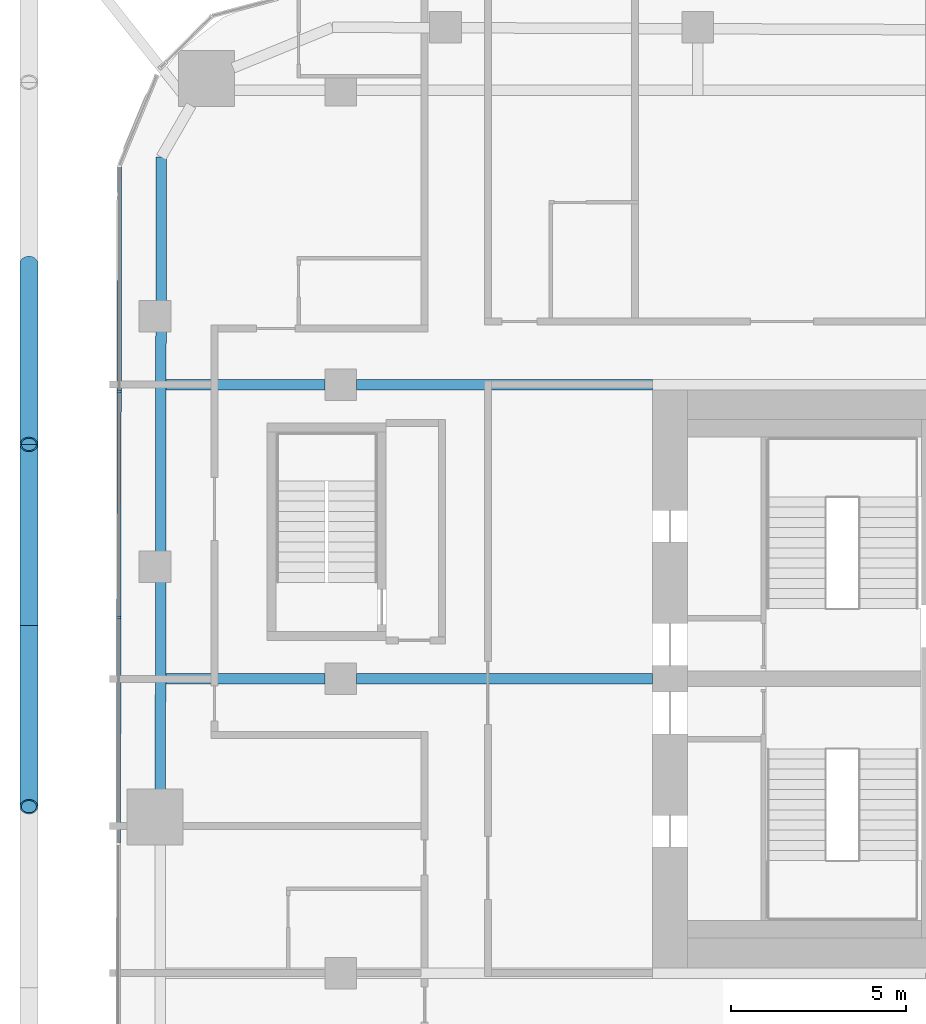
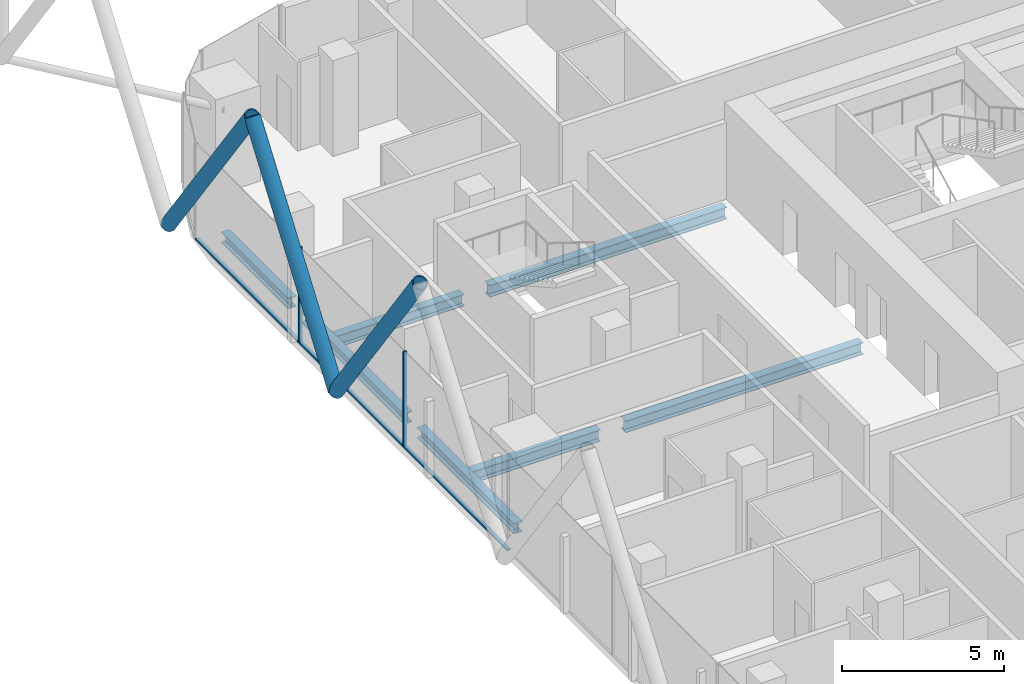
# One storey, part 9 of 33: 8 members, 7 beams, 1 element without a shape of its own.
"""IFC4 building model written with IfcOpenShell, lengths in metres."""

from ifc_helpers import new_model, si_unit, direction, frame, origin, origin_2d, place, context, subcontext, project, spatial, rectangle, hollow_circle, i_section, extrude, material, layer, layer_set, material_profile, profile_set, type_object, element, aggregate, save


model = new_model("IFC4")

# Units and contexts
model_context = context("Model", 3, precision=1e-05, world=origin(), true_north=direction((0.0, 1.0)))
body_context = subcontext(model_context, "Body", "Model", "MODEL_VIEW")
ifc_project = project(units=[si_unit("LENGTHUNIT", "METRE"), si_unit("AREAUNIT", "SQUARE_METRE"), si_unit("VOLUMEUNIT", "CUBIC_METRE"), si_unit("PLANEANGLEUNIT", "RADIAN"), si_unit("MASSUNIT", "GRAM", prefix="KILO")], contexts=[model_context])

# Site, building, storey
site_placement = place(None, origin())
site = spatial("IfcSite", under=ifc_project, at=site_placement, CompositionType="ELEMENT")
building_placement = place(site_placement, origin())
building = spatial("IfcBuilding", under=site, at=building_placement, Name="Marenta Gate Hotel Tower", CompositionType="ELEMENT")
storey_placement = place(building_placement, frame((0.0, 0.0, 137.300048828125)))
storey = spatial("IfcBuildingStorey", under=building, at=storey_placement, Name="L31", CompositionType="ELEMENT", Elevation=137.300048828125)

# Members
ifc_material_1 = material(Name="Steel S355J2W", Category="steel")
ifc_material_profile_1 = material_profile(ifc_material_1, hollow_circle(Radius=0.25390625, WallThickness=0.0400390625, at=origin_2d()), Name="CHS 508x40")
ifc_profile_set_1 = profile_set([ifc_material_profile_1], Name="Steel S355J2W")
member_type_1 = type_object("IfcMemberType", Name="Diagrid diagonal Z2 CHS 508x40", PredefinedType="BRACE", material=ifc_profile_set_1)
member_1_placement = place(storey_placement, frame((-29.89990234375, 9.919921875, 3.139892578125), z_axis=(0.0, -0.583260841117, 0.812284919975), x_axis=(1.0, 0.0, 0.0)))
element("IfcMember", 1, at=member_1_placement, inside=storey, type_object=member_type_1, Name="L31-DG-30", PredefinedType="BRACE", context=body_context, shape_type="SweptSolid", body=[
    extrude(hollow_circle(Radius=0.25390625, WallThickness=0.0400390625, at=origin_2d()), origin(), (0.0, 0.0, 1.0), 8.86376953125),
])
member_2_placement = place(storey_placement, frame((-29.89990234375, 9.919921875, 3.139892578125), z_axis=(0.0, 0.583279014058, 0.812271870595), x_axis=(-1.0, 0.0, 0.0)))
element("IfcMember", 2, at=member_2_placement, inside=storey, type_object=member_type_1, Name="L31-DG-31", PredefinedType="BRACE", context=body_context, shape_type="SweptSolid", body=[
    extrude(hollow_circle(Radius=0.25390625, WallThickness=0.0400390625, at=origin_2d()), origin(), (0.0, 0.0, 1.0), 8.864013671875),
])
member_3_placement = place(storey_placement, frame((-29.89990234375, 20.260009765625, 3.139892578125), z_axis=(0.0, -0.583260841117, 0.812284919975), x_axis=(1.0, 0.0, 0.0)))
element("IfcMember", 3, at=member_3_placement, inside=storey, type_object=member_type_1, Name="L31-DG-32", PredefinedType="BRACE", context=body_context, shape_type="SweptSolid", body=[
    extrude(hollow_circle(Radius=0.25390625, WallThickness=0.0400390625, at=origin_2d()), origin(), (0.0, 0.0, 1.0), 8.86376953125),
])

# Beams
ifc_material_2 = material(Name="Steel S355", Category="steel")
ifc_material_profile_2 = material_profile(ifc_material_2, i_section(OverallWidth=0.300048828125, OverallDepth=0.39990234375, WebThickness=0.013427734375, FlangeThickness=0.02392578125, FilletRadius=0.027099609375, at=origin_2d()), Name="HEB 400")
ifc_profile_set_2 = profile_set([ifc_material_profile_2], Name="Steel S355")
beam_type_1 = type_object("IfcBeamType", Name="Edge beam HEB 400", PredefinedType="SPANDREL", material=ifc_profile_set_2)
beam_1_placement = place(storey_placement, frame((-26.146484375, 5.2099609375, -0.4599609375), z_axis=(0.001387357379, 0.999999037619, 0.0), x_axis=(-0.999999037619, 0.001387357379, 0.0)))
element("IfcBeam", 4, at=beam_1_placement, inside=storey, type_object=beam_type_1, Name="L31-EB-8", PredefinedType="SPANDREL", context=body_context, shape_type="SweptSolid", body=[
    extrude(i_section(OverallWidth=0.300048828125, OverallDepth=0.39990234375, WebThickness=0.013427734375, FlangeThickness=0.02392578125, FilletRadius=0.027099609375, at=origin_2d()), origin(), (0.0, 0.0, 1.0), 5.983154296875),
])
beam_2_placement = place(storey_placement, frame((-26.136962890625, 12.01318359375, -0.4599609375), z_axis=(0.001387763206, 0.999999037056, 0.0), x_axis=(-0.999999037056, 0.001387763206, 0.0)))
element("IfcBeam", 5, at=beam_2_placement, inside=storey, type_object=beam_type_1, Name="L31-EB-9", PredefinedType="SPANDREL", context=body_context, shape_type="SweptSolid", body=[
    extrude(i_section(OverallWidth=0.300048828125, OverallDepth=0.39990234375, WebThickness=0.013427734375, FlangeThickness=0.02392578125, FilletRadius=0.027099609375, at=origin_2d()), origin(), (0.0, 0.0, 1.0), 6.333251953125),
])
beam_3_placement = place(storey_placement, frame((-26.126953125, 19.16650390625, -0.4599609375), z_axis=(0.001361187116, 0.999999073584, 0.0), x_axis=(-0.999999073584, 0.001361187116, 0.0)))
element("IfcBeam", 6, at=beam_3_placement, inside=storey, type_object=beam_type_1, Name="L31-EB-10", PredefinedType="SPANDREL", context=body_context, shape_type="SweptSolid", body=[
    extrude(i_section(OverallWidth=0.300048828125, OverallDepth=0.39990234375, WebThickness=0.013427734375, FlangeThickness=0.02392578125, FilletRadius=0.027099609375, at=origin_2d()), origin(), (0.0, 0.0, 1.0), 4.125244140625),
])
ifc_material_3 = material(Name="Steel S355", Category="steel")
ifc_material_profile_3 = material_profile(ifc_material_3, i_section(OverallWidth=0.300048828125, OverallDepth=0.449951171875, WebThickness=0.013916015625, FlangeThickness=0.02587890625, FilletRadius=0.027099609375, at=origin_2d()), Name="HEB 450")
ifc_profile_set_3 = profile_set([ifc_material_profile_3], Name="Steel S355")
beam_type_2 = type_object("IfcBeamType", Name="Girder HEB 450", PredefinedType="BEAM", material=ifc_profile_set_3)
beam_4_placement = place(storey_placement, frame((-25.991943359375, 8.39990234375, -0.485107421875), z_axis=(1.0, 0.0, 0.0), x_axis=(0.0, 1.0, 0.0)))
element("IfcBeam", 7, at=beam_4_placement, inside=storey, type_object=beam_type_2, Name="L31-GD-20", PredefinedType="BEAM", context=body_context, shape_type="SweptSolid", body=[
    extrude(i_section(OverallWidth=0.300048828125, OverallDepth=0.449951171875, WebThickness=0.013916015625, FlangeThickness=0.02587890625, FilletRadius=0.027099609375, at=origin_2d()), origin(), (0.0, 0.0, 1.0), 4.5419921875),
])
beam_5_placement = place(storey_placement, frame((-20.550048828125, 8.39990234375, -0.485107421875), z_axis=(1.0, 0.0, 0.0), x_axis=(0.0, 1.0, 0.0)))
element("IfcBeam", 8, at=beam_5_placement, inside=storey, type_object=beam_type_2, Name="L31-GD-21", PredefinedType="BEAM", context=body_context, shape_type="SweptSolid", body=[
    extrude(i_section(OverallWidth=0.300048828125, OverallDepth=0.449951171875, WebThickness=0.013916015625, FlangeThickness=0.02587890625, FilletRadius=0.027099609375, at=origin_2d()), origin(), (0.0, 0.0, 1.0), 8.449951171875),
])
beam_6_placement = place(storey_placement, frame((-25.980224609375, 16.800048828125, -0.485107421875), z_axis=(1.0, 0.0, 0.0), x_axis=(0.0, 1.0, 0.0)))
element("IfcBeam", 9, at=beam_6_placement, inside=storey, type_object=beam_type_2, Name="L31-GD-24", PredefinedType="BEAM", context=body_context, shape_type="SweptSolid", body=[
    extrude(i_section(OverallWidth=0.300048828125, OverallDepth=0.449951171875, WebThickness=0.013916015625, FlangeThickness=0.02587890625, FilletRadius=0.027099609375, at=origin_2d()), origin(), (0.0, 0.0, 1.0), 4.5302734375),
])
beam_7_placement = place(storey_placement, frame((-20.550048828125, 16.800048828125, -0.485107421875), z_axis=(1.0, 0.0, 0.0), x_axis=(0.0, 1.0, 0.0)))
element("IfcBeam", 10, at=beam_7_placement, inside=storey, type_object=beam_type_2, Name="L31-GD-25", PredefinedType="BEAM", context=body_context, shape_type="SweptSolid", body=[
    extrude(i_section(OverallWidth=0.300048828125, OverallDepth=0.449951171875, WebThickness=0.013916015625, FlangeThickness=0.02587890625, FilletRadius=0.027099609375, at=origin_2d()), origin(), (0.0, 0.0, 1.0), 8.449951171875),
])

# Curtain wall, members
ifc_material_4 = material(Name="Tinted insulated glass in bronze anodised frame", Category="glass")
ifc_layer = layer(ifc_material_4, 0.1201171875)
ifc_layer_set = layer_set([ifc_layer], Name="Tinted insulated glass in bronze anodised frame")
curtain_wall_type = type_object("IfcCurtainWallType", Name="Tower unitised curtain wall CW1", PredefinedType="NOTDEFINED", material=ifc_layer_set)
curtain_wall_placement = place(storey_placement, origin())
curtain_wall = element("IfcCurtainWall", 11, at=curtain_wall_placement, inside=storey, type_object=curtain_wall_type, Name="CW1 run G04", PredefinedType="NOTDEFINED")
ifc_material_5 = material(Name="Bronze anodised aluminium", Category="aluminium")
ifc_material_profile_4 = material_profile(ifc_material_5, rectangle(XDim=0.1201171875, YDim=0.06005859375, at=origin_2d()), Name="Mullion CW1 60x120 bronze anodised aluminium")
ifc_profile_set_4 = profile_set([ifc_material_profile_4], Name="Bronze anodised aluminium")
member_type_2 = type_object("IfcMemberType", Name="Mullion CW1 60x120 bronze anodised aluminium", PredefinedType="MULLION", material=ifc_profile_set_4)
member_4_placement = place(storey_placement, frame((-27.322509765625, 16.606201171875, 0.0), z_axis=(0.0, 0.0, 1.0), x_axis=(0.99999877375, -0.001566045546, 0.0)))
member_4 = element("IfcMember", 12, at=member_4_placement, type_object=member_type_2, Name="CW1 mullion 2", PredefinedType="MULLION", context=body_context, shape_type="SweptSolid", body=[
    extrude(rectangle(XDim=0.1201171875, YDim=0.06005859375, at=origin_2d()), origin(), (0.0, 0.0, 1.0), 3.599853515625),
])
member_5_placement = place(storey_placement, frame((-27.33251953125, 10.146240234375, 0.0), z_axis=(0.0, 0.0, 1.0), x_axis=(0.99999877375, -0.001566045546, 0.0)))
member_5 = element("IfcMember", 13, at=member_5_placement, type_object=member_type_2, Name="CW1 mullion 3", PredefinedType="MULLION", context=body_context, shape_type="SweptSolid", body=[
    extrude(rectangle(XDim=0.1201171875, YDim=0.06005859375, at=origin_2d()), origin(), (0.0, 0.0, 1.0), 3.599853515625),
])
ifc_material_6 = material(Name="Bronze anodised aluminium", Category="aluminium")
ifc_material_profile_5 = material_profile(ifc_material_6, rectangle(XDim=0.1201171875, YDim=0.06005859375, at=origin_2d()), Name="Transom CW1 60x120 bronze anodised aluminium")
ifc_profile_set_5 = profile_set([ifc_material_profile_5], Name="Bronze anodised aluminium")
member_type_3 = type_object("IfcMemberType", Name="Transom CW1 60x120 bronze anodised aluminium", PredefinedType="USERDEFINED", material=ifc_profile_set_5)
member_6_placement = place(storey_placement, frame((-27.3125, 23.006103515625, 0.030029296875), z_axis=(-0.001533093902, -0.999998824811, 0.0), x_axis=(0.999998824811, -0.001533093902, 0.0)))
member_6 = element("IfcMember", 14, at=member_6_placement, type_object=member_type_3, Name="CW1 transom 1.1", ObjectType="TRANSOM", PredefinedType="USERDEFINED", context=body_context, shape_type="SweptSolid", body=[
    extrude(rectangle(XDim=0.1201171875, YDim=0.06005859375, at=origin_2d()), origin(), (0.0, 0.0, 1.0), 6.369873046875),
])
member_7_placement = place(storey_placement, frame((-27.322509765625, 16.576171875, 0.030029296875), z_axis=(-0.001564047831, -0.999998776876, 0.0), x_axis=(0.999998776876, -0.001564047831, 0.0)))
member_7 = element("IfcMember", 15, at=member_7_placement, type_object=member_type_3, Name="CW1 transom 2.1", ObjectType="TRANSOM", PredefinedType="USERDEFINED", context=body_context, shape_type="SweptSolid", body=[
    extrude(rectangle(XDim=0.1201171875, YDim=0.06005859375, at=origin_2d()), origin(), (0.0, 0.0, 1.0), 6.39990234375),
])
member_8_placement = place(storey_placement, frame((-27.33251953125, 10.1162109375, 0.030029296875), z_axis=(-0.001564047831, -0.999998776876, 0.0), x_axis=(0.999998776876, -0.001564047831, 0.0)))
member_8 = element("IfcMember", 16, at=member_8_placement, type_object=member_type_3, Name="CW1 transom 3.1", ObjectType="TRANSOM", PredefinedType="USERDEFINED", context=body_context, shape_type="SweptSolid", body=[
    extrude(rectangle(XDim=0.1201171875, YDim=0.06005859375, at=origin_2d()), origin(), (0.0, 0.0, 1.0), 6.39990234375),
])
aggregate(curtain_wall, [member_4, member_5, member_6, member_7, member_8])

save(model, "model.ifc")
